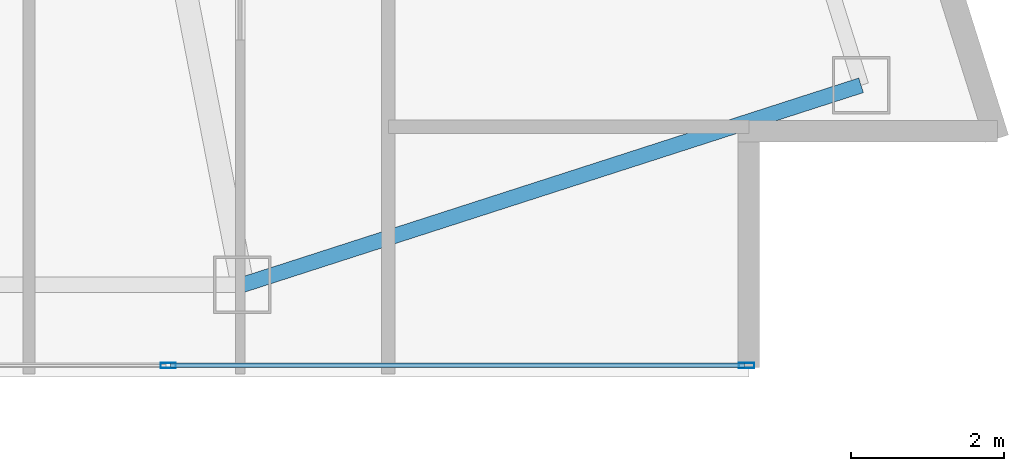
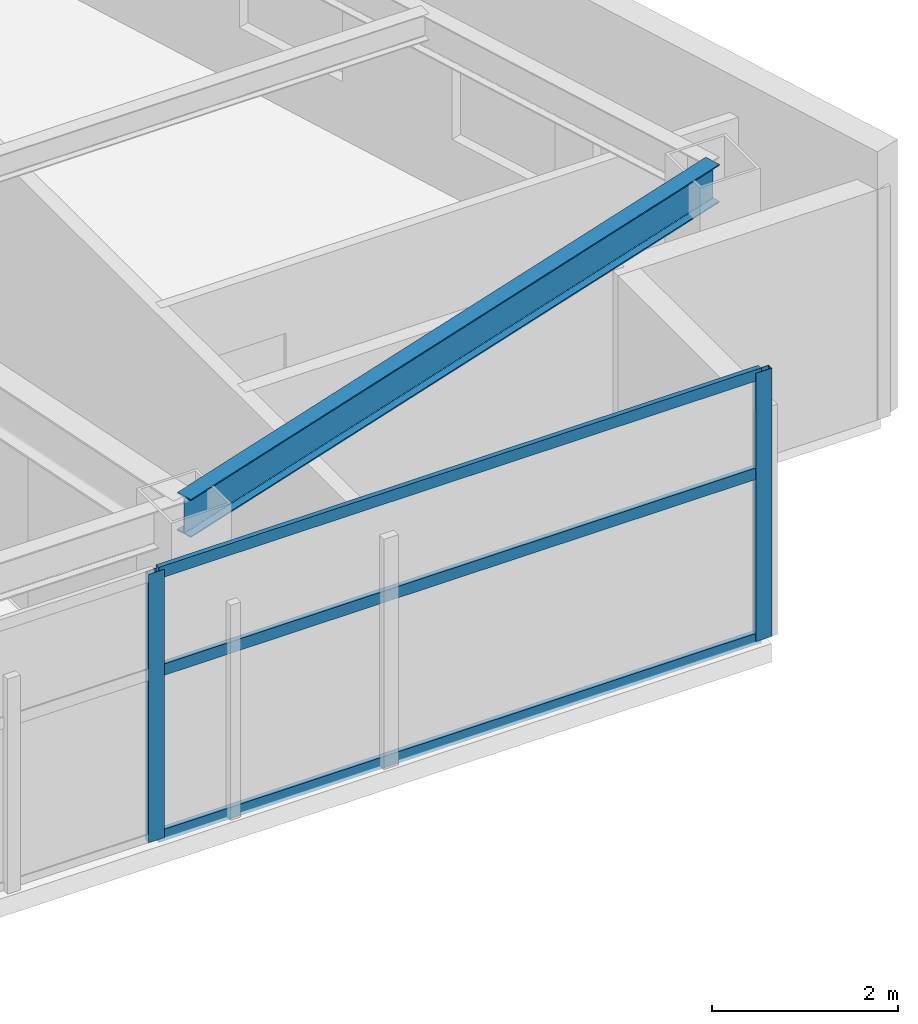
# One storey, part 14 of 28: 5 members, 1 beam, 1 element without a shape of its own.
"""IFC4 building model written with IfcOpenShell, lengths in metres."""

from ifc_helpers import new_model, si_unit, direction, frame, origin, origin_2d, place, context, subcontext, project, spatial, hollow_rectangle, i_section, extrude, material, layer, layer_set, material_profile, profile_set, type_object, element, aggregate, save


model = new_model("IFC4")

# Units and contexts
model_context = context("Model", 3, precision=1e-05, world=origin(), true_north=direction((0.0, 1.0)))
body_context = subcontext(model_context, "Body", "Model", "MODEL_VIEW")
ifc_project = project(units=[si_unit("LENGTHUNIT", "METRE"), si_unit("AREAUNIT", "SQUARE_METRE"), si_unit("VOLUMEUNIT", "CUBIC_METRE"), si_unit("PLANEANGLEUNIT", "RADIAN"), si_unit("MASSUNIT", "GRAM", prefix="KILO")], contexts=[model_context])

# Site, building, storey
site_placement = place(None, origin())
site = spatial("IfcSite", under=ifc_project, at=site_placement, CompositionType="ELEMENT")
building_placement = place(site_placement, origin())
building = spatial("IfcBuilding", under=site, at=building_placement, Name="Calvorn Quay Hotel", CompositionType="ELEMENT")
storey_placement = place(building_placement, frame((0.0, 0.0, 135.39990234375)))
storey = spatial("IfcBuildingStorey", under=building, at=storey_placement, Name="L33", CompositionType="ELEMENT", Elevation=135.39990234375)

# Beam
ifc_material_1 = material(Name="Steel Q355B", Category="steel")
ifc_material_profile_1 = material_profile(ifc_material_1, i_section(OverallWidth=0.199951171875, OverallDepth=0.5, WebThickness=0.010009765625, FlangeThickness=0.01611328125, FilletRadius=0.01611328125, at=origin_2d()), Name="HN500x200x10x16")
ifc_profile_set_1 = profile_set([ifc_material_profile_1], Name="Steel Q355B")
beam_type = type_object("IfcBeamType", Name="BM-SPANDREL-Z1", PredefinedType="SPANDREL", material=ifc_profile_set_1)
beam_placement = place(storey_placement, frame((49.39990234375, 3.60009765625, 3.27001953125), z_axis=(0.951725188386, 0.306951406237, 0.0), x_axis=(-0.306951406237, 0.951725188386, 0.0)))
element("IfcBeam", 1, at=beam_placement, inside=storey, type_object=beam_type, Name="Beam BSP-L33-S6", PredefinedType="SPANDREL", context=body_context, shape_type="SweptSolid", body=[
    extrude(i_section(OverallWidth=0.199951171875, OverallDepth=0.5, WebThickness=0.010009765625, FlangeThickness=0.01611328125, FilletRadius=0.01611328125, at=origin_2d()), origin(), (0.0, 0.0, 1.0), 8.469970703125),
])

# Curtain wall, members
ifc_material_2 = material(Name="Pale Anodised Aluminium and Low-E Glass", Category="aluminium")
ifc_layer = layer(ifc_material_2, 0.219970703125)
ifc_layer_set = layer_set([ifc_layer], Name="CW-SYS-Z2")
curtain_wall_type = type_object("IfcCurtainWallType", Name="CW-SYS-Z2", PredefinedType="NOTDEFINED", material=ifc_layer_set)
curtain_wall_placement = place(storey_placement, origin())
curtain_wall = element("IfcCurtainWall", 2, at=curtain_wall_placement, inside=storey, type_object=curtain_wall_type, Name="Tower South Waterfront Curtain Wall (L33)", PredefinedType="NOTDEFINED")
ifc_material_3 = material(Name="Pale Anodised Aluminium 6063-T6", Category="aluminium")
ifc_material_profile_2 = material_profile(ifc_material_3, hollow_rectangle(XDim=0.070068359375, YDim=0.199951171875, WallThickness=0.00390625, at=origin_2d()), Name="ALU-M200x70x4")
ifc_profile_set_2 = profile_set([ifc_material_profile_2], Name="Pale Anodised Aluminium 6063-T6")
member_type_1 = type_object("IfcMemberType", Name="CW-SYS-Z2-MUL", PredefinedType="MULLION", material=ifc_profile_set_2)
member_1_placement = place(storey_placement, frame((48.433349609375, 2.550048828125, 0.0), z_axis=(0.0, 0.0, 1.0), x_axis=(0.0, 1.0, 0.0)))
member_1 = element("IfcMember", 3, at=member_1_placement, type_object=member_type_1, Name="CW-L33-S mullion 6", PredefinedType="MULLION", context=body_context, shape_type="SweptSolid", body=[
    extrude(hollow_rectangle(XDim=0.070068359375, YDim=0.199951171875, WallThickness=0.00390625, at=origin_2d()), origin(), (0.0, 0.0, 1.0), 3.52001953125),
])
member_2_placement = place(storey_placement, frame((55.969970703125, 2.550048828125, 0.0), z_axis=(0.0, 0.0, 1.0), x_axis=(0.0, 1.0, 0.0)))
member_2 = element("IfcMember", 4, at=member_2_placement, type_object=member_type_1, Name="CW-L33-S mullion 7", PredefinedType="MULLION", context=body_context, shape_type="SweptSolid", body=[
    extrude(hollow_rectangle(XDim=0.070068359375, YDim=0.199951171875, WallThickness=0.00390625, at=origin_2d()), origin(), (0.0, 0.0, 1.0), 3.52001953125),
])
ifc_material_4 = material(Name="Pale Anodised Aluminium 6063-T6", Category="aluminium")
ifc_material_profile_3 = material_profile(ifc_material_4, hollow_rectangle(XDim=0.06005859375, YDim=0.14990234375, WallThickness=0.00341796875, at=origin_2d()), Name="ALU-T150x60x3.5")
ifc_profile_set_3 = profile_set([ifc_material_profile_3], Name="Pale Anodised Aluminium 6063-T6")
member_type_2 = type_object("IfcMemberType", Name="CW-SYS-Z2-TRN", PredefinedType="USERDEFINED", material=ifc_profile_set_3)
member_3_placement = place(storey_placement, frame((48.46337890625, 2.550048828125, 0.030029296875), z_axis=(1.0, 0.0, 0.0), x_axis=(0.0, 1.0, 0.0)))
member_3 = element("IfcMember", 5, at=member_3_placement, type_object=member_type_2, Name="CW-L33-S transom 6.1", ObjectType="TRANSOM", PredefinedType="USERDEFINED", context=body_context, shape_type="SweptSolid", body=[
    extrude(hollow_rectangle(XDim=0.06005859375, YDim=0.14990234375, WallThickness=0.00341796875, at=origin_2d()), origin(), (0.0, 0.0, 1.0), 7.4765625),
])
member_4_placement = place(storey_placement, frame((48.46337890625, 2.550048828125, 2.2001953125), z_axis=(1.0, 0.0, 0.0), x_axis=(0.0, 1.0, 0.0)))
member_4 = element("IfcMember", 6, at=member_4_placement, type_object=member_type_2, Name="CW-L33-S transom 6.2", ObjectType="TRANSOM", PredefinedType="USERDEFINED", context=body_context, shape_type="SweptSolid", body=[
    extrude(hollow_rectangle(XDim=0.06005859375, YDim=0.14990234375, WallThickness=0.00341796875, at=origin_2d()), origin(), (0.0, 0.0, 1.0), 7.4765625),
])
member_5_placement = place(storey_placement, frame((48.46337890625, 2.550048828125, 3.489990234375), z_axis=(1.0, 0.0, 0.0), x_axis=(0.0, 1.0, 0.0)))
member_5 = element("IfcMember", 7, at=member_5_placement, type_object=member_type_2, Name="CW-L33-S transom 6.3", ObjectType="TRANSOM", PredefinedType="USERDEFINED", context=body_context, shape_type="SweptSolid", body=[
    extrude(hollow_rectangle(XDim=0.06005859375, YDim=0.14990234375, WallThickness=0.00341796875, at=origin_2d()), origin(), (0.0, 0.0, 1.0), 7.4765625),
])
aggregate(curtain_wall, [member_1, member_2, member_3, member_4, member_5])

save(model, "model.ifc")
